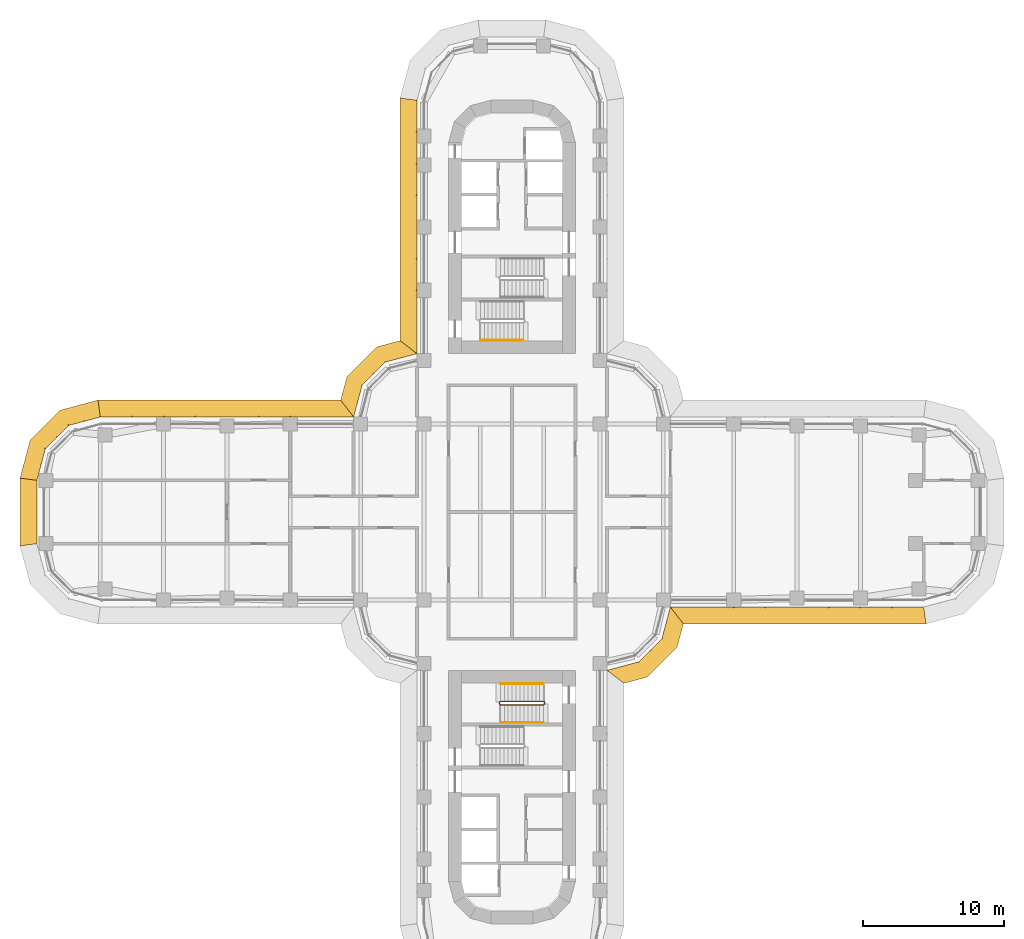
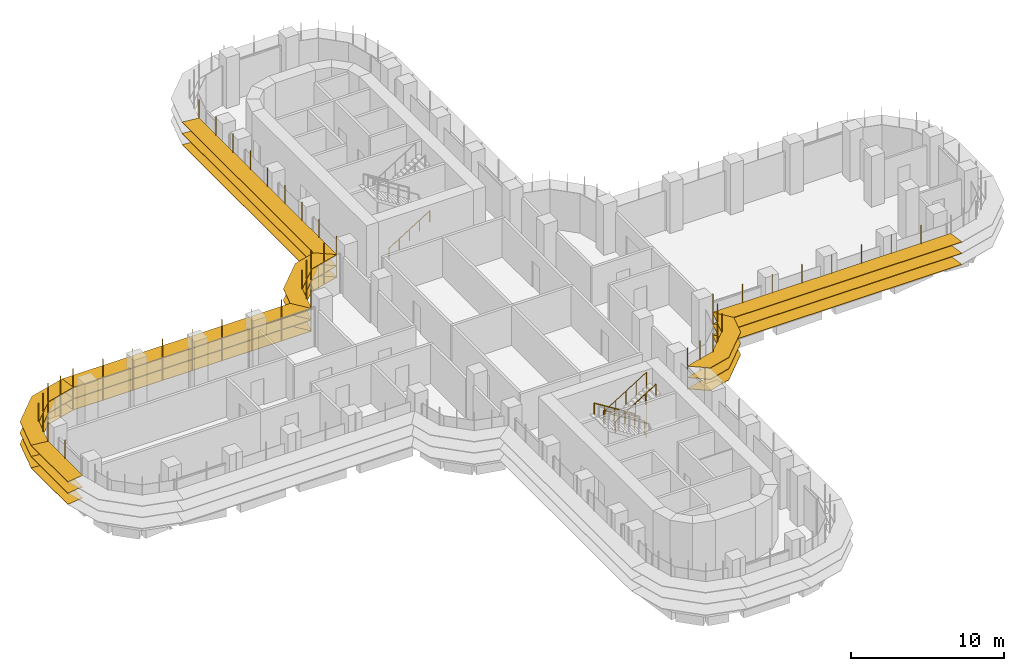
# One storey, part 21 of 23: 7 shading devices, 4 railings.
"""IFC4 building model written with IfcOpenShell, lengths in metres."""

from ifc_helpers import new_model, si_unit, direction, frame, origin, origin_2d, place, context, subcontext, project, spatial, polyline, circle, outline, extrude, faceted_brep, source, transform, mapped, material, type_object, element, save


model = new_model("IFC4")

# Units and contexts
model_context = context("Model", 3, precision=1e-05, world=origin(), true_north=direction((0.0, 1.0)))
body_context = subcontext(model_context, "Body", "Model", "MODEL_VIEW")
ifc_project = project(units=[si_unit("LENGTHUNIT", "METRE"), si_unit("AREAUNIT", "SQUARE_METRE"), si_unit("VOLUMEUNIT", "CUBIC_METRE"), si_unit("PLANEANGLEUNIT", "RADIAN"), si_unit("MASSUNIT", "GRAM", prefix="KILO")], contexts=[model_context])

# Site, building, storey
site_placement = place(None, origin())
site = spatial("IfcSite", under=ifc_project, at=site_placement, CompositionType="ELEMENT")
building_placement = place(site_placement, origin())
building = spatial("IfcBuilding", under=site, at=building_placement, Name="Zarbagh Exchange Tower", CompositionType="ELEMENT")
storey_placement = place(building_placement, frame((0.0, 0.0, 56.39990234375)))
storey = spatial("IfcBuildingStorey", under=building, at=storey_placement, Name="L12", CompositionType="ELEMENT", Elevation=56.39990234375)

# Railings
ifc_material_1 = material(Name="Stainless steel", Category="steel")
railing_type_1 = type_object("IfcRailingType", Name="Stair guard 1100 mm", PredefinedType="GUARDRAIL", material=ifc_material_1)
railing_1_placement = place(storey_placement, frame((-0.8798828125, -13.5, 2.10009765625)))
element("IfcRailing", 1, at=railing_1_placement, inside=storey, type_object=railing_type_1, Name="ST4 stair guard 1", PredefinedType="GUARDRAIL", context=body_context, shape_type="SweptSolid", body=[
    extrude(circle(Radius=0.02392578125, at=origin_2d()), frame((0.0, 0.0, 1.076171875), z_axis=(0.0, -1.0, 0.0), x_axis=(1.0, 0.0, 0.0)), (0.0, 0.0, 1.0), 0.14990234375),
    extrude(circle(Radius=0.02392578125, at=origin_2d()), frame((0.0, -0.14990234375, 1.076171875), z_axis=(0.263862480399, -0.265155923931, 0.927399011991), x_axis=(0.708833529934, 0.705375805398, 0.0)), (0.0, 0.0, 1.0), 0.188720703125),
    extrude(circle(Radius=0.02392578125, at=origin_2d()), frame((0.0498046875, -0.199951171875, 1.2509765625), z_axis=(0.847998304005, 0.0, 0.529998940003), x_axis=(0.0, 1.0, 0.0)), (0.0, 0.0, 1.0), 3.632080078125),
    extrude(circle(Radius=0.02392578125, at=origin_2d()), frame((3.1298828125, -0.199951171875, 3.17626953125), z_axis=(0.011914141993, 0.011914141993, -0.999858043145), x_axis=(-0.707106781187, 0.707106781187, 0.0)), (0.0, 0.0, 1.0), 4.20068359375),
    extrude(circle(Radius=0.02392578125, at=origin_2d()), frame((3.179931640625, -0.14990234375, -1.02392578125), z_axis=(0.0, 1.0, 0.0), x_axis=(-1.0, 0.0, 0.0)), (0.0, 0.0, 1.0), 0.14990234375),
    extrude(circle(Radius=0.02392578125, at=origin_2d()), frame((3.179931640625, 0.0, -1.02392578125), z_axis=(-0.265065253269, 0.265065253269, 0.927081885822), x_axis=(-0.707106781187, -0.707106781187, 0.0)), (0.0, 0.0, 1.0), 0.188720703125),
    extrude(circle(Radius=0.02392578125, at=origin_2d()), frame((3.1298828125, 0.050048828125, -0.84912109375), z_axis=(-0.847998304005, 0.0, 0.529998940003), x_axis=(0.0, -1.0, 0.0)), (0.0, 0.0, 1.0), 3.632080078125),
    extrude(circle(Radius=0.02099609375, at=origin_2d()), origin(), (0.0, 0.0, 1.0), 1.052001953125),
    extrude(circle(Radius=0.02099609375, at=origin_2d()), frame((0.0, -0.14990234375, 0.0)), (0.0, 0.0, 1.0), 1.052001953125),
    extrude(circle(Radius=0.02099609375, at=origin_2d()), frame((0.0498046875, -0.199951171875, 0.175048828125)), (0.0, 0.0, 1.0), 1.052001953125),
    extrude(circle(Radius=0.02099609375, at=origin_2d()), frame((0.81982421875, -0.199951171875, 0.65625)), (0.0, 0.0, 1.0), 1.052001953125),
    extrude(circle(Radius=0.02099609375, at=origin_2d()), frame((1.58984375, -0.199951171875, 1.1376953125)), (0.0, 0.0, 1.0), 1.052001953125),
    extrude(circle(Radius=0.02099609375, at=origin_2d()), frame((2.35986328125, -0.199951171875, 1.618896484375)), (0.0, 0.0, 1.0), 1.052001953125),
    extrude(circle(Radius=0.02099609375, at=origin_2d()), frame((3.1298828125, -0.199951171875, 2.10009765625)), (0.0, 0.0, 1.0), 1.052001953125),
    extrude(circle(Radius=0.02099609375, at=origin_2d()), frame((3.142333984375, -0.1875, 1.050048828125)), (0.0, 0.0, 1.0), 1.052001953125),
    extrude(circle(Radius=0.02099609375, at=origin_2d()), frame((3.15478515625, -0.1748046875, 0.0)), (0.0, 0.0, 1.0), 1.052001953125),
    extrude(circle(Radius=0.02099609375, at=origin_2d()), frame((3.16748046875, -0.162353515625, -1.050048828125)), (0.0, 0.0, 1.0), 1.052001953125),
    extrude(circle(Radius=0.02099609375, at=origin_2d()), frame((3.179931640625, -0.14990234375, -2.10009765625)), (0.0, 0.0, 1.0), 1.052001953125),
    extrude(circle(Radius=0.02099609375, at=origin_2d()), frame((3.179931640625, 0.0, -2.10009765625)), (0.0, 0.0, 1.0), 1.052001953125),
    extrude(circle(Radius=0.02099609375, at=origin_2d()), frame((3.1298828125, 0.050048828125, -1.925048828125)), (0.0, 0.0, 1.0), 1.052001953125),
    extrude(circle(Radius=0.02099609375, at=origin_2d()), frame((2.35986328125, 0.050048828125, -1.44384765625)), (0.0, 0.0, 1.0), 1.052001953125),
    extrude(circle(Radius=0.02099609375, at=origin_2d()), frame((1.58984375, 0.050048828125, -0.96240234375)), (0.0, 0.0, 1.0), 1.052001953125),
    extrude(circle(Radius=0.02099609375, at=origin_2d()), frame((0.81982421875, 0.050048828125, -0.481201171875)), (0.0, 0.0, 1.0), 1.052001953125),
    extrude(circle(Radius=0.02099609375, at=origin_2d()), frame((0.0498046875, 0.050048828125, 0.0)), (0.0, 0.0, 1.0), 1.052001953125),
])
railing_type_2 = type_object("IfcRailingType", Name="Stair handrail 900 mm", PredefinedType="HANDRAIL", material=ifc_material_1)
railing_2_placement = place(storey_placement, frame((-2.25, 12.199951171875, 0.175048828125)))
element("IfcRailing", 2, at=railing_2_placement, inside=storey, type_object=railing_type_2, Name="ST2 stair handrail 1", PredefinedType="HANDRAIL", context=body_context, shape_type="SweptSolid", body=[
    extrude(circle(Radius=0.02392578125, at=origin_2d()), frame((0.0, 0.0, 0.8759765625), z_axis=(0.847998304005, 0.0, 0.529998940003), x_axis=(0.0, 1.0, 0.0)), (0.0, 0.0, 1.0), 3.632080078125),
    extrude(circle(Radius=0.02099609375, at=origin_2d()), origin(), (0.0, 0.0, 1.0), 0.851806640625),
    extrude(circle(Radius=0.02099609375, at=origin_2d()), frame((0.77001953125, 0.0, 0.481201171875)), (0.0, 0.0, 1.0), 0.851806640625),
    extrude(circle(Radius=0.02099609375, at=origin_2d()), frame((1.5400390625, 0.0, 0.96240234375)), (0.0, 0.0, 1.0), 0.851806640625),
    extrude(circle(Radius=0.02099609375, at=origin_2d()), frame((2.31005859375, 0.0, 1.44384765625)), (0.0, 0.0, 1.0), 0.851806640625),
    extrude(circle(Radius=0.02099609375, at=origin_2d()), frame((3.080078125, 0.0, 1.925048828125)), (0.0, 0.0, 1.0), 0.851806640625),
])
railing_3_placement = place(storey_placement, frame((2.25, -12.199951171875, 0.175048828125)))
element("IfcRailing", 3, at=railing_3_placement, inside=storey, type_object=railing_type_2, Name="ST4 stair handrail 1", PredefinedType="HANDRAIL", context=body_context, shape_type="SweptSolid", body=[
    extrude(circle(Radius=0.02392578125, at=origin_2d()), frame((0.0, 0.0, 0.8759765625), z_axis=(-0.847998304005, 0.0, 0.529998940003), x_axis=(0.0, -1.0, 0.0)), (0.0, 0.0, 1.0), 3.632080078125),
    extrude(circle(Radius=0.02099609375, at=origin_2d()), origin(), (0.0, 0.0, 1.0), 0.851806640625),
    extrude(circle(Radius=0.02099609375, at=origin_2d()), frame((-0.77001953125, 0.0, 0.481201171875)), (0.0, 0.0, 1.0), 0.851806640625),
    extrude(circle(Radius=0.02099609375, at=origin_2d()), frame((-1.5400390625, 0.0, 0.96240234375)), (0.0, 0.0, 1.0), 0.851806640625),
    extrude(circle(Radius=0.02099609375, at=origin_2d()), frame((-2.31005859375, 0.0, 1.44384765625)), (0.0, 0.0, 1.0), 0.851806640625),
    extrude(circle(Radius=0.02099609375, at=origin_2d()), frame((-3.080078125, 0.0, 1.925048828125)), (0.0, 0.0, 1.0), 0.851806640625),
])
railing_4_placement = place(storey_placement, frame((-0.830078125, -14.949951171875, 2.275146484375)))
element("IfcRailing", 4, at=railing_4_placement, inside=storey, type_object=railing_type_2, Name="ST4 stair handrail 2", PredefinedType="HANDRAIL", context=body_context, shape_type="SweptSolid", body=[
    extrude(circle(Radius=0.02392578125, at=origin_2d()), frame((0.0, 0.0, 0.8759765625), z_axis=(0.847998304005, 0.0, 0.529998940003), x_axis=(0.0, 1.0, 0.0)), (0.0, 0.0, 1.0), 3.632080078125),
    extrude(circle(Radius=0.02099609375, at=origin_2d()), origin(), (0.0, 0.0, 1.0), 0.851806640625),
    extrude(circle(Radius=0.02099609375, at=origin_2d()), frame((0.77001953125, 0.0, 0.481201171875)), (0.0, 0.0, 1.0), 0.851806640625),
    extrude(circle(Radius=0.02099609375, at=origin_2d()), frame((1.5400390625, 0.0, 0.96240234375)), (0.0, 0.0, 1.0), 0.851806640625),
    extrude(circle(Radius=0.02099609375, at=origin_2d()), frame((2.31005859375, 0.0, 1.44384765625)), (0.0, 0.0, 1.0), 0.851806640625),
    extrude(circle(Radius=0.02099609375, at=origin_2d()), frame((3.080078125, 0.0, 1.925048828125)), (0.0, 0.0, 1.0), 0.851806640625),
])

# Shading devices
ifc_material_2 = material(Name="Anodised aluminium blades and brackets", Category="aluminium")
shading_device_type = type_object("IfcShadingDeviceType", Name="SUNSHADE louvre band, 0 degree blades", PredefinedType="JALOUSIE", material=ifc_material_2)
shared_shape_1 = source(origin(), body_context, "Body", "Brep", [
    faceted_brep([(0.0, 0.0, 0.0), (0.0, 0.0, -0.0400390625), (-0.157958984375, -1.199951171875, -0.0400390625), (-0.157958984375, -1.199951171875, 0.0), (2.65087890625, -1.199951171875, 0.0), (2.65087890625, -1.199951171875, -0.0400390625), (2.329345703125, 0.0, -0.0400390625), (2.329345703125, 0.0, 0.0)], [[[0, 1, 2, 3]], [[4, 5, 6, 7]], [[0, 7, 6, 1]], [[1, 6, 5, 2]], [[2, 5, 4, 3]], [[3, 4, 7, 0]]]),
])
shared_shape_2 = source(origin(), body_context, "Body", "Brep", [
    faceted_brep([(0.0, 0.0, 0.0), (0.0, 0.0, -0.0400390625), (-0.321533203125, -1.199951171875, -0.0400390625), (-0.321533203125, -1.199951171875, 0.0), (2.65087890625, -1.199951171875, 0.0), (2.65087890625, -1.199951171875, -0.0400390625), (2.329345703125, 0.0, -0.0400390625), (2.329345703125, 0.0, 0.0)], [[[0, 1, 2, 3]], [[4, 5, 6, 7]], [[0, 7, 6, 1]], [[1, 6, 5, 2]], [[2, 5, 4, 3]], [[3, 4, 7, 0]]]),
])
shared_shape_3 = source(origin(), body_context, "Body", "Brep", [
    faceted_brep([(0.0, 0.0, 0.0), (0.0, 0.0, -0.0400390625), (-0.321533203125, -1.199951171875, -0.0400390625), (-0.321533203125, -1.199951171875, 0.0), (2.4873046875, -1.199951171875, 0.0), (2.4873046875, -1.199951171875, -0.0400390625), (2.329345703125, 0.0, -0.0400390625), (2.329345703125, 0.0, 0.0)], [[[0, 1, 2, 3]], [[4, 5, 6, 7]], [[0, 7, 6, 1]], [[1, 6, 5, 2]], [[2, 5, 4, 3]], [[3, 4, 7, 0]]]),
])
shared_shape_4 = source(origin(), body_context, "Body", "SweptSolid", [
    extrude(outline(polyline([(0.0, -0.012451171875), (0.06005859375, -0.012451171875), (0.06005859375, 0.012451171875), (0.0, 0.012451171875), (0.0, -0.012451171875)])), origin(), (0.0, 0.0, 1.0), 3.35009765625),
])
placement = place(storey_placement, origin())
element("IfcShadingDevice", 5, at=placement, inside=storey, type_object=shading_device_type, Name="SS17 sunshade band", PredefinedType="JALOUSIE", context=body_context, shape_type="MappedRepresentation", body=[
    mapped(shared_shape_1, transform((-29.25, 6.75, 2.7001953125), x_axis=(-0.965924289636, -0.258824779902, 0.0), y_axis=(0.258824779902, -0.965924289636, 0.0), z_axis=(0.0, 0.0, 1.0))),
    mapped(shared_shape_1, transform((-29.25, 6.75, 1.800048828125), x_axis=(-0.965924289636, -0.258824779902, 0.0), y_axis=(0.258824779902, -0.965924289636, 0.0), z_axis=(0.0, 0.0, 1.0))),
    mapped(shared_shape_1, transform((-29.25, 6.75, 0.900146484375), x_axis=(-0.965924289636, -0.258824779902, 0.0), y_axis=(0.258824779902, -0.965924289636, 0.0), z_axis=(0.0, 0.0, 1.0))),
    mapped(shared_shape_2, transform((-31.5, 6.147216796875, 2.7001953125), x_axis=(-0.707106781187, -0.707106781187, 0.0), y_axis=(0.707106781187, -0.707106781187, 0.0), z_axis=(0.0, 0.0, 1.0))),
    mapped(shared_shape_2, transform((-31.5, 6.147216796875, 1.800048828125), x_axis=(-0.707106781187, -0.707106781187, 0.0), y_axis=(0.707106781187, -0.707106781187, 0.0), z_axis=(0.0, 0.0, 1.0))),
    mapped(shared_shape_2, transform((-31.5, 6.147216796875, 0.900146484375), x_axis=(-0.707106781187, -0.707106781187, 0.0), y_axis=(0.707106781187, -0.707106781187, 0.0), z_axis=(0.0, 0.0, 1.0))),
    mapped(shared_shape_3, transform((-33.147216796875, 4.5, 2.7001953125), x_axis=(-0.258824779902, -0.965924289636, 0.0), y_axis=(0.965924289636, -0.258824779902, 0.0), z_axis=(0.0, 0.0, 1.0))),
    mapped(shared_shape_3, transform((-33.147216796875, 4.5, 1.800048828125), x_axis=(-0.258824779902, -0.965924289636, 0.0), y_axis=(0.965924289636, -0.258824779902, 0.0), z_axis=(0.0, 0.0, 1.0))),
    mapped(shared_shape_3, transform((-33.147216796875, 4.5, 0.900146484375), x_axis=(-0.258824779902, -0.965924289636, 0.0), y_axis=(0.965924289636, -0.258824779902, 0.0), z_axis=(0.0, 0.0, 1.0))),
    mapped(shared_shape_4, transform((-29.25, 6.75, 0.830078125), x_axis=(-0.130529263012, 0.991444457092, 0.0), y_axis=(-0.991444457092, -0.130529263012, 0.0), z_axis=(0.0, 0.0, 1.0))),
    mapped(shared_shape_4, transform((-30.375, 6.448486328125, 0.830078125), x_axis=(-0.258825058029, 0.96592421511, 0.0), y_axis=(-0.96592421511, -0.258825058029, 0.0), z_axis=(0.0, 0.0, 1.0))),
    mapped(shared_shape_4, transform((-31.5, 6.147216796875, 0.830078125), x_axis=(-0.50000275701, 0.866023812018, 0.0), y_axis=(-0.866023812018, -0.50000275701, 0.0), z_axis=(0.0, 0.0, 1.0))),
    mapped(shared_shape_4, transform((-32.323486328125, 5.323486328125, 0.830078125), x_axis=(-0.707106781187, 0.707106781187, 0.0), y_axis=(-0.707106781187, -0.707106781187, 0.0), z_axis=(0.0, 0.0, 1.0))),
    mapped(shared_shape_4, transform((-33.147216796875, 4.5, 0.830078125), x_axis=(-0.866023812018, 0.50000275701, 0.0), y_axis=(-0.50000275701, -0.866023812018, 0.0), z_axis=(0.0, 0.0, 1.0))),
    mapped(shared_shape_4, transform((-33.448486328125, 3.375, 0.830078125), x_axis=(-0.96592421511, 0.258825058029, 0.0), y_axis=(-0.258825058029, -0.96592421511, 0.0), z_axis=(0.0, 0.0, 1.0))),
])
shared_shape_5 = source(origin(), body_context, "Body", "Brep", [
    faceted_brep([(0.0, 0.0, 0.0), (0.0, 0.0, -0.0400390625), (0.9208984375, -1.199951171875, -0.0400390625), (0.9208984375, -1.199951171875, 0.0), (2.65087890625, -1.199951171875, 0.0), (2.65087890625, -1.199951171875, -0.0400390625), (2.329345703125, 0.0, -0.0400390625), (2.329345703125, 0.0, 0.0)], [[[0, 1, 2, 3]], [[4, 5, 6, 7]], [[0, 7, 6, 1]], [[1, 6, 5, 2]], [[2, 5, 4, 3]], [[3, 4, 7, 0]]]),
])
shared_shape_6 = source(origin(), body_context, "Body", "Brep", [
    faceted_brep([(0.0, 0.0, 0.0), (0.0, 0.0, -0.0400390625), (-0.321533203125, -1.199951171875, -0.0400390625), (-0.321533203125, -1.199951171875, 0.0), (1.40869140625, -1.199951171875, 0.0), (1.40869140625, -1.199951171875, -0.0400390625), (2.329345703125, 0.0, -0.0400390625), (2.329345703125, 0.0, 0.0)], [[[0, 1, 2, 3]], [[4, 5, 6, 7]], [[0, 7, 6, 1]], [[1, 6, 5, 2]], [[2, 5, 4, 3]], [[3, 4, 7, 0]]]),
])
element("IfcShadingDevice", 6, at=placement, inside=storey, type_object=shading_device_type, Name="SS03 sunshade band", PredefinedType="JALOUSIE", context=body_context, shape_type="MappedRepresentation", body=[
    mapped(shared_shape_5, transform((6.75, -11.25, 2.7001953125), x_axis=(0.965924289636, 0.258824779902, 0.0), y_axis=(-0.258824779902, 0.965924289636, 0.0), z_axis=(0.0, 0.0, 1.0))),
    mapped(shared_shape_5, transform((6.75, -11.25, 1.800048828125), x_axis=(0.965924289636, 0.258824779902, 0.0), y_axis=(-0.258824779902, 0.965924289636, 0.0), z_axis=(0.0, 0.0, 1.0))),
    mapped(shared_shape_5, transform((6.75, -11.25, 0.900146484375), x_axis=(0.965924289636, 0.258824779902, 0.0), y_axis=(-0.258824779902, 0.965924289636, 0.0), z_axis=(0.0, 0.0, 1.0))),
    mapped(shared_shape_2, transform((9.0, -10.647216796875, 2.7001953125), x_axis=(0.707106781187, 0.707106781187, 0.0), y_axis=(-0.707106781187, 0.707106781187, 0.0), z_axis=(0.0, 0.0, 1.0))),
    mapped(shared_shape_2, transform((9.0, -10.647216796875, 1.800048828125), x_axis=(0.707106781187, 0.707106781187, 0.0), y_axis=(-0.707106781187, 0.707106781187, 0.0), z_axis=(0.0, 0.0, 1.0))),
    mapped(shared_shape_2, transform((9.0, -10.647216796875, 0.900146484375), x_axis=(0.707106781187, 0.707106781187, 0.0), y_axis=(-0.707106781187, 0.707106781187, 0.0), z_axis=(0.0, 0.0, 1.0))),
    mapped(shared_shape_6, transform((10.647216796875, -9.0, 2.7001953125), x_axis=(0.258824779902, 0.965924289636, 0.0), y_axis=(-0.965924289636, 0.258824779902, 0.0), z_axis=(0.0, 0.0, 1.0))),
    mapped(shared_shape_6, transform((10.647216796875, -9.0, 1.800048828125), x_axis=(0.258824779902, 0.965924289636, 0.0), y_axis=(-0.965924289636, 0.258824779902, 0.0), z_axis=(0.0, 0.0, 1.0))),
    mapped(shared_shape_6, transform((10.647216796875, -9.0, 0.900146484375), x_axis=(0.258824779902, 0.965924289636, 0.0), y_axis=(-0.965924289636, 0.258824779902, 0.0), z_axis=(0.0, 0.0, 1.0))),
    mapped(shared_shape_4, transform((6.75, -11.25, 0.830078125), x_axis=(0.793355287, -0.608758892, 0.0), y_axis=(0.608758892, 0.793355287, 0.0), z_axis=(0.0, 0.0, 1.0))),
    mapped(shared_shape_4, transform((7.875, -10.948486328125, 0.830078125), x_axis=(0.258825058029, -0.96592421511, 0.0), y_axis=(0.96592421511, 0.258825058029, 0.0), z_axis=(0.0, 0.0, 1.0))),
    mapped(shared_shape_4, transform((9.0, -10.647216796875, 0.830078125), x_axis=(0.50000275701, -0.866023812018, 0.0), y_axis=(0.866023812018, 0.50000275701, 0.0), z_axis=(0.0, 0.0, 1.0))),
    mapped(shared_shape_4, transform((9.823486328125, -9.823486328125, 0.830078125), x_axis=(0.707106781187, -0.707106781187, 0.0), y_axis=(0.707106781187, 0.707106781187, 0.0), z_axis=(0.0, 0.0, 1.0))),
    mapped(shared_shape_4, transform((10.647216796875, -9.0, 0.830078125), x_axis=(0.866023812018, -0.50000275701, 0.0), y_axis=(0.50000275701, 0.866023812018, 0.0), z_axis=(0.0, 0.0, 1.0))),
    mapped(shared_shape_4, transform((10.948486328125, -7.875, 0.830078125), x_axis=(0.96592421511, -0.258825058029, 0.0), y_axis=(0.258825058029, 0.96592421511, 0.0), z_axis=(0.0, 0.0, 1.0))),
])
element("IfcShadingDevice", 7, at=placement, inside=storey, type_object=shading_device_type, Name="SS15 sunshade band", PredefinedType="JALOUSIE", context=body_context, shape_type="MappedRepresentation", body=[
    mapped(shared_shape_5, transform((-6.75, 11.25, 2.7001953125), x_axis=(-0.965924289636, -0.258824779902, 0.0), y_axis=(0.258824779902, -0.965924289636, 0.0), z_axis=(0.0, 0.0, 1.0))),
    mapped(shared_shape_5, transform((-6.75, 11.25, 1.800048828125), x_axis=(-0.965924289636, -0.258824779902, 0.0), y_axis=(0.258824779902, -0.965924289636, 0.0), z_axis=(0.0, 0.0, 1.0))),
    mapped(shared_shape_5, transform((-6.75, 11.25, 0.900146484375), x_axis=(-0.965924289636, -0.258824779902, 0.0), y_axis=(0.258824779902, -0.965924289636, 0.0), z_axis=(0.0, 0.0, 1.0))),
    mapped(shared_shape_2, transform((-9.0, 10.647216796875, 2.7001953125), x_axis=(-0.707106781187, -0.707106781187, 0.0), y_axis=(0.707106781187, -0.707106781187, 0.0), z_axis=(0.0, 0.0, 1.0))),
    mapped(shared_shape_2, transform((-9.0, 10.647216796875, 1.800048828125), x_axis=(-0.707106781187, -0.707106781187, 0.0), y_axis=(0.707106781187, -0.707106781187, 0.0), z_axis=(0.0, 0.0, 1.0))),
    mapped(shared_shape_2, transform((-9.0, 10.647216796875, 0.900146484375), x_axis=(-0.707106781187, -0.707106781187, 0.0), y_axis=(0.707106781187, -0.707106781187, 0.0), z_axis=(0.0, 0.0, 1.0))),
    mapped(shared_shape_6, transform((-10.647216796875, 9.0, 2.7001953125), x_axis=(-0.258824779902, -0.965924289636, 0.0), y_axis=(0.965924289636, -0.258824779902, 0.0), z_axis=(0.0, 0.0, 1.0))),
    mapped(shared_shape_6, transform((-10.647216796875, 9.0, 1.800048828125), x_axis=(-0.258824779902, -0.965924289636, 0.0), y_axis=(0.965924289636, -0.258824779902, 0.0), z_axis=(0.0, 0.0, 1.0))),
    mapped(shared_shape_6, transform((-10.647216796875, 9.0, 0.900146484375), x_axis=(-0.258824779902, -0.965924289636, 0.0), y_axis=(0.965924289636, -0.258824779902, 0.0), z_axis=(0.0, 0.0, 1.0))),
    mapped(shared_shape_4, transform((-6.75, 11.25, 0.830078125), x_axis=(-0.793355287, 0.608758892, 0.0), y_axis=(-0.608758892, -0.793355287, 0.0), z_axis=(0.0, 0.0, 1.0))),
    mapped(shared_shape_4, transform((-7.875, 10.948486328125, 0.830078125), x_axis=(-0.258825058029, 0.96592421511, 0.0), y_axis=(-0.96592421511, -0.258825058029, 0.0), z_axis=(0.0, 0.0, 1.0))),
    mapped(shared_shape_4, transform((-9.0, 10.647216796875, 0.830078125), x_axis=(-0.50000275701, 0.866023812018, 0.0), y_axis=(-0.866023812018, -0.50000275701, 0.0), z_axis=(0.0, 0.0, 1.0))),
    mapped(shared_shape_4, transform((-9.823486328125, 9.823486328125, 0.830078125), x_axis=(-0.707106781187, 0.707106781187, 0.0), y_axis=(-0.707106781187, -0.707106781187, 0.0), z_axis=(0.0, 0.0, 1.0))),
    mapped(shared_shape_4, transform((-10.647216796875, 9.0, 0.830078125), x_axis=(-0.866023812018, 0.50000275701, 0.0), y_axis=(-0.50000275701, -0.866023812018, 0.0), z_axis=(0.0, 0.0, 1.0))),
    mapped(shared_shape_4, transform((-10.948486328125, 7.875, 0.830078125), x_axis=(-0.96592421511, 0.258825058029, 0.0), y_axis=(-0.258825058029, -0.96592421511, 0.0), z_axis=(0.0, 0.0, 1.0))),
])
shared_shape_7 = source(origin(), body_context, "Body", "Brep", [
    faceted_brep([(0.0, 0.0, 0.0), (0.0, 0.0, -0.0400390625), (0.9208984375, -1.199951171875, -0.0400390625), (0.9208984375, -1.199951171875, 0.0), (18.157958984375, -1.199951171875, 0.0), (18.157958984375, -1.199951171875, -0.0400390625), (18.0, 0.0, -0.0400390625), (18.0, 0.0, 0.0)], [[[0, 1, 2, 3]], [[4, 5, 6, 7]], [[0, 7, 6, 1]], [[1, 6, 5, 2]], [[2, 5, 4, 3]], [[3, 4, 7, 0]]]),
])
element("IfcShadingDevice", 8, at=placement, inside=storey, type_object=shading_device_type, Name="SS04 sunshade band", PredefinedType="JALOUSIE", context=body_context, shape_type="MappedRepresentation", body=[
    mapped(shared_shape_7, transform((11.25, -6.75, 2.7001953125), x_axis=(1.0, 0.0, 0.0), y_axis=(0.0, 1.0, 0.0), z_axis=(0.0, 0.0, 1.0))),
    mapped(shared_shape_7, transform((11.25, -6.75, 1.800048828125), x_axis=(1.0, 0.0, 0.0), y_axis=(0.0, 1.0, 0.0), z_axis=(0.0, 0.0, 1.0))),
    mapped(shared_shape_7, transform((11.25, -6.75, 0.900146484375), x_axis=(1.0, 0.0, 0.0), y_axis=(0.0, 1.0, 0.0), z_axis=(0.0, 0.0, 1.0))),
    mapped(shared_shape_4, transform((11.25, -6.75, 0.830078125), x_axis=(0.608758892, -0.793355287, 0.0), y_axis=(0.793355287, 0.608758892, 0.0), z_axis=(0.0, 0.0, 1.0))),
    mapped(shared_shape_4, transform((13.5, -6.75, 0.830078125), x_axis=(0.0, -1.0, 0.0), y_axis=(1.0, 0.0, 0.0), z_axis=(0.0, 0.0, 1.0))),
    mapped(shared_shape_4, transform((15.75, -6.75, 0.830078125), x_axis=(0.0, -1.0, 0.0), y_axis=(1.0, 0.0, 0.0), z_axis=(0.0, 0.0, 1.0))),
    mapped(shared_shape_4, transform((18.0, -6.75, 0.830078125), x_axis=(0.0, -1.0, 0.0), y_axis=(1.0, 0.0, 0.0), z_axis=(0.0, 0.0, 1.0))),
    mapped(shared_shape_4, transform((20.25, -6.75, 0.830078125), x_axis=(0.0, -1.0, 0.0), y_axis=(1.0, 0.0, 0.0), z_axis=(0.0, 0.0, 1.0))),
    mapped(shared_shape_4, transform((22.5, -6.75, 0.830078125), x_axis=(0.0, -1.0, 0.0), y_axis=(1.0, 0.0, 0.0), z_axis=(0.0, 0.0, 1.0))),
    mapped(shared_shape_4, transform((24.75, -6.75, 0.830078125), x_axis=(0.0, -1.0, 0.0), y_axis=(1.0, 0.0, 0.0), z_axis=(0.0, 0.0, 1.0))),
    mapped(shared_shape_4, transform((27.0, -6.75, 0.830078125), x_axis=(0.0, -1.0, 0.0), y_axis=(1.0, 0.0, 0.0), z_axis=(0.0, 0.0, 1.0))),
])
shared_shape_8 = source(origin(), body_context, "Body", "Brep", [
    faceted_brep([(0.0, 0.0, 0.0), (0.0, 0.0, -0.0400390625), (-0.157958984375, -1.199951171875, -0.0400390625), (-0.157958984375, -1.199951171875, 0.0), (17.0791015625, -1.199951171875, 0.0), (17.0791015625, -1.199951171875, -0.0400390625), (18.0, 0.0, -0.0400390625), (18.0, 0.0, 0.0)], [[[0, 1, 2, 3]], [[4, 5, 6, 7]], [[0, 7, 6, 1]], [[1, 6, 5, 2]], [[2, 5, 4, 3]], [[3, 4, 7, 0]]]),
])
element("IfcShadingDevice", 9, at=placement, inside=storey, type_object=shading_device_type, Name="SS14 sunshade band", PredefinedType="JALOUSIE", context=body_context, shape_type="MappedRepresentation", body=[
    mapped(shared_shape_8, transform((-6.75, 29.25, 2.7001953125), x_axis=(0.0, -1.0, 0.0), y_axis=(1.0, 0.0, 0.0), z_axis=(0.0, 0.0, 1.0))),
    mapped(shared_shape_8, transform((-6.75, 29.25, 1.800048828125), x_axis=(0.0, -1.0, 0.0), y_axis=(1.0, 0.0, 0.0), z_axis=(0.0, 0.0, 1.0))),
    mapped(shared_shape_8, transform((-6.75, 29.25, 0.900146484375), x_axis=(0.0, -1.0, 0.0), y_axis=(1.0, 0.0, 0.0), z_axis=(0.0, 0.0, 1.0))),
    mapped(shared_shape_4, transform((-6.75, 29.25, 0.830078125), x_axis=(-0.991444457092, 0.130529263012, 0.0), y_axis=(-0.130529263012, -0.991444457092, 0.0), z_axis=(0.0, 0.0, 1.0))),
    mapped(shared_shape_4, transform((-6.75, 27.0, 0.830078125), x_axis=(-1.0, 0.0, 0.0), y_axis=(0.0, -1.0, 0.0), z_axis=(0.0, 0.0, 1.0))),
    mapped(shared_shape_4, transform((-6.75, 24.75, 0.830078125), x_axis=(-1.0, 0.0, 0.0), y_axis=(0.0, -1.0, 0.0), z_axis=(0.0, 0.0, 1.0))),
    mapped(shared_shape_4, transform((-6.75, 22.5, 0.830078125), x_axis=(-1.0, 0.0, 0.0), y_axis=(0.0, -1.0, 0.0), z_axis=(0.0, 0.0, 1.0))),
    mapped(shared_shape_4, transform((-6.75, 20.25, 0.830078125), x_axis=(-1.0, 0.0, 0.0), y_axis=(0.0, -1.0, 0.0), z_axis=(0.0, 0.0, 1.0))),
    mapped(shared_shape_4, transform((-6.75, 18.0, 0.830078125), x_axis=(-1.0, 0.0, 0.0), y_axis=(0.0, -1.0, 0.0), z_axis=(0.0, 0.0, 1.0))),
    mapped(shared_shape_4, transform((-6.75, 15.75, 0.830078125), x_axis=(-1.0, 0.0, 0.0), y_axis=(0.0, -1.0, 0.0), z_axis=(0.0, 0.0, 1.0))),
    mapped(shared_shape_4, transform((-6.75, 13.5, 0.830078125), x_axis=(-1.0, 0.0, 0.0), y_axis=(0.0, -1.0, 0.0), z_axis=(0.0, 0.0, 1.0))),
])
element("IfcShadingDevice", 10, at=placement, inside=storey, type_object=shading_device_type, Name="SS16 sunshade band", PredefinedType="JALOUSIE", context=body_context, shape_type="MappedRepresentation", body=[
    mapped(shared_shape_7, transform((-11.25, 6.75, 2.7001953125), x_axis=(-1.0, 0.0, 0.0), y_axis=(0.0, -1.0, 0.0), z_axis=(0.0, 0.0, 1.0))),
    mapped(shared_shape_7, transform((-11.25, 6.75, 1.800048828125), x_axis=(-1.0, 0.0, 0.0), y_axis=(0.0, -1.0, 0.0), z_axis=(0.0, 0.0, 1.0))),
    mapped(shared_shape_7, transform((-11.25, 6.75, 0.900146484375), x_axis=(-1.0, 0.0, 0.0), y_axis=(0.0, -1.0, 0.0), z_axis=(0.0, 0.0, 1.0))),
    mapped(shared_shape_4, transform((-11.25, 6.75, 0.830078125), x_axis=(-0.608758892, 0.793355287, 0.0), y_axis=(-0.793355287, -0.608758892, 0.0), z_axis=(0.0, 0.0, 1.0))),
    mapped(shared_shape_4, transform((-13.5, 6.75, 0.830078125), x_axis=(0.0, 1.0, 0.0), y_axis=(-1.0, 0.0, 0.0), z_axis=(0.0, 0.0, 1.0))),
    mapped(shared_shape_4, transform((-15.75, 6.75, 0.830078125), x_axis=(0.0, 1.0, 0.0), y_axis=(-1.0, 0.0, 0.0), z_axis=(0.0, 0.0, 1.0))),
    mapped(shared_shape_4, transform((-18.0, 6.75, 0.830078125), x_axis=(0.0, 1.0, 0.0), y_axis=(-1.0, 0.0, 0.0), z_axis=(0.0, 0.0, 1.0))),
    mapped(shared_shape_4, transform((-20.25, 6.75, 0.830078125), x_axis=(0.0, 1.0, 0.0), y_axis=(-1.0, 0.0, 0.0), z_axis=(0.0, 0.0, 1.0))),
    mapped(shared_shape_4, transform((-22.5, 6.75, 0.830078125), x_axis=(0.0, 1.0, 0.0), y_axis=(-1.0, 0.0, 0.0), z_axis=(0.0, 0.0, 1.0))),
    mapped(shared_shape_4, transform((-24.75, 6.75, 0.830078125), x_axis=(0.0, 1.0, 0.0), y_axis=(-1.0, 0.0, 0.0), z_axis=(0.0, 0.0, 1.0))),
    mapped(shared_shape_4, transform((-27.0, 6.75, 0.830078125), x_axis=(0.0, 1.0, 0.0), y_axis=(-1.0, 0.0, 0.0), z_axis=(0.0, 0.0, 1.0))),
])
shared_shape_9 = source(origin(), body_context, "Body", "Brep", [
    faceted_brep([(0.0, 0.0, 0.0), (0.0, 0.0, -0.0400390625), (-0.157958984375, -1.199951171875, -0.0400390625), (-0.157958984375, -1.199951171875, 0.0), (4.657958984375, -1.199951171875, 0.0), (4.657958984375, -1.199951171875, -0.0400390625), (4.5, 0.0, -0.0400390625), (4.5, 0.0, 0.0)], [[[0, 1, 2, 3]], [[4, 5, 6, 7]], [[0, 7, 6, 1]], [[1, 6, 5, 2]], [[2, 5, 4, 3]], [[3, 4, 7, 0]]]),
])
element("IfcShadingDevice", 11, at=placement, inside=storey, type_object=shading_device_type, Name="SS18 sunshade band", PredefinedType="JALOUSIE", context=body_context, shape_type="MappedRepresentation", body=[
    mapped(shared_shape_9, transform((-33.75, 2.25, 2.7001953125), x_axis=(0.0, -1.0, 0.0), y_axis=(1.0, 0.0, 0.0), z_axis=(0.0, 0.0, 1.0))),
    mapped(shared_shape_9, transform((-33.75, 2.25, 1.800048828125), x_axis=(0.0, -1.0, 0.0), y_axis=(1.0, 0.0, 0.0), z_axis=(0.0, 0.0, 1.0))),
    mapped(shared_shape_9, transform((-33.75, 2.25, 0.900146484375), x_axis=(0.0, -1.0, 0.0), y_axis=(1.0, 0.0, 0.0), z_axis=(0.0, 0.0, 1.0))),
    mapped(shared_shape_4, transform((-33.75, 2.25, 0.830078125), x_axis=(-0.991444457092, 0.130529263012, 0.0), y_axis=(-0.130529263012, -0.991444457092, 0.0), z_axis=(0.0, 0.0, 1.0))),
    mapped(shared_shape_4, transform((-33.75, 0.0, 0.830078125), x_axis=(-1.0, 0.0, 0.0), y_axis=(0.0, -1.0, 0.0), z_axis=(0.0, 0.0, 1.0))),
])

save(model, "model.ifc")
